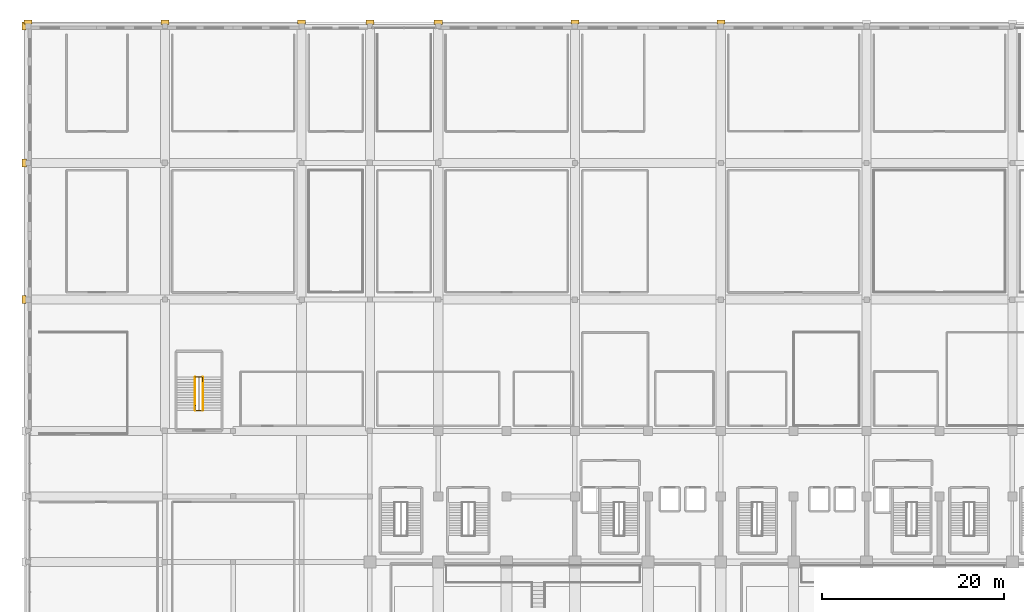
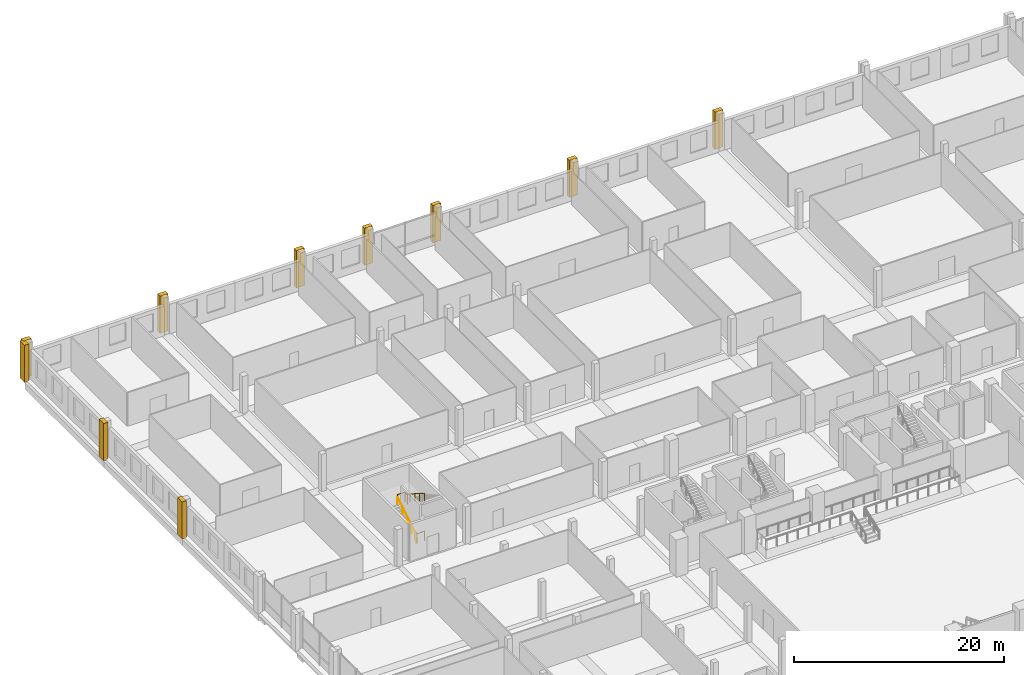
# One storey, part 64 of 68: 10 coverings, 4 railings.
"""IFC4 building model written with IfcOpenShell, lengths in metres."""

from ifc_helpers import new_model, si_unit, direction, frame, origin, origin_2d, place, context, subcontext, project, spatial, rectangle, circle, extrude, material, layer, layer_set, type_object, element, save


model = new_model("IFC4")

# Units and contexts
model_context = context("Model", 3, precision=1e-05, world=origin(), true_north=direction((0.0, 1.0)))
body_context = subcontext(model_context, "Body", "Model", "MODEL_VIEW")
ifc_project = project(units=[si_unit("LENGTHUNIT", "METRE"), si_unit("AREAUNIT", "SQUARE_METRE"), si_unit("VOLUMEUNIT", "CUBIC_METRE"), si_unit("PLANEANGLEUNIT", "RADIAN"), si_unit("MASSUNIT", "GRAM", prefix="KILO")], contexts=[model_context])

# Site, building, storey
site_placement = place(None, origin())
site = spatial("IfcSite", under=ifc_project, at=site_placement, CompositionType="ELEMENT")
building_placement = place(site_placement, origin())
building = spatial("IfcBuilding", under=site, at=building_placement, Name="Akrevak Sports Hall", CompositionType="ELEMENT")
storey_placement = place(building_placement, frame((0.0, 0.0, 9.39990234375)))
storey = spatial("IfcBuildingStorey", under=building, at=storey_placement, Name="L02", CompositionType="ELEMENT", Elevation=9.39990234375)

# Coverings
ifc_material_1 = material(Name="Limestone Ashlar", Category="stone")
ifc_layer_1 = layer(ifc_material_1, 0.47998046875, Name="Limestone Ashlar")
ifc_layer_set_1 = layer_set([ifc_layer_1], Name="Limestone Ashlar")
covering_type = type_object("IfcCoveringType", Name="ARC-COV-PIL-LIM", PredefinedType="CLADDING", material=ifc_layer_set_1)
for number, where, z_axis, x_axis, name in (
    (1, (0.0, 114.449951171875, 0.0), (0.0, 0.0, 1.0), (-1.0, 0.0, 0.0), "Giant-Order Limestone Pilaster L02-03-26"),
    (2, (15.0, 114.425048828125, 0.0), (0.0, 0.0, 1.0), (-1.0, 0.0, 0.0), "Giant-Order Limestone Pilaster L02-03-27"),
    (3, (30.0, 114.449951171875, 0.0), (0.0, 0.0, 1.0), (-1.0, 0.0, 0.0), "Giant-Order Limestone Pilaster L02-03-28"),
    (4, (37.5, 114.425048828125, 0.0), (0.0, 0.0, 1.0), (-1.0, 0.0, 0.0), "Giant-Order Limestone Pilaster L02-03-29"),
    (5, (45.0, 114.425048828125, 0.0), (0.0, 0.0, 1.0), (-1.0, 0.0, 0.0), "Giant-Order Limestone Pilaster L02-03-30"),
    (6, (60.0, 114.449951171875, 0.0), (0.0, 0.0, 1.0), (-1.0, 0.0, 0.0), "Giant-Order Limestone Pilaster L02-03-31"),
    (7, (76.0, 114.449951171875, 0.0), (0.0, 0.0, 1.0), (-1.0, 0.0, 0.0), "Giant-Order Limestone Pilaster L02-03-32"),
    (8, (-0.449951171875, 84.0, 0.0), (0.0, 0.0, 1.0), (0.0, -1.0, 0.0), "Giant-Order Limestone Pilaster L02-04-48"),
    (9, (-0.425048828125, 99.0, 0.0), (0.0, 0.0, 1.0), (0.0, -1.0, 0.0), "Giant-Order Limestone Pilaster L02-04-49"),
    (10, (-0.449951171875, 114.0, 0.0), (0.0, 0.0, 1.0), (0.0, -1.0, 0.0), "Giant-Order Limestone Pilaster L02-04-49"),
):
    element("IfcCovering", number, at=place(storey_placement, frame(where, z_axis=z_axis, x_axis=x_axis)), inside=storey, type_object=covering_type, Name=name, PredefinedType="CLADDING", context=body_context, shape_type="SweptSolid", body=[
        extrude(rectangle(XDim=0.8798828125, YDim=0.4599609375, at=origin_2d()), origin(), (0.0, 0.0, 1.0), 4.320068359375),
    ])

# Railings
ifc_material_2 = material(Name="Painted Architectural Balustrade Steel", Category="steel")
ifc_layer_2 = layer(ifc_material_2, 0.06005859375, Name="Painted Architectural Balustrade Steel")
ifc_layer_set_2 = layer_set([ifc_layer_2], Name="Painted Architectural Balustrade Steel")
railing_type_1 = type_object("IfcRailingType", Name="ARC-RL-GRD-1120", PredefinedType="GUARDRAIL", material=ifc_layer_set_2)
railing_1_placement = place(storey_placement, frame((18.360107421875, 72.3701171875, 0.0)))
element("IfcRailing", 11, at=railing_1_placement, inside=storey, type_object=railing_type_1, Name="Stair Floor Landing Well Guard ST6 (L02)", PredefinedType="GUARDRAIL", context=body_context, shape_type="SweptSolid", body=[
    extrude(circle(Radius=0.02392578125, at=origin_2d()), frame((0.0, 0.0, 1.09619140625), z_axis=(0.0, -1.0, 0.0), x_axis=(1.0, 0.0, 0.0)), (0.0, 0.0, 1.0), 0.550048828125),
    extrude(circle(Radius=0.02392578125, at=origin_2d()), frame((0.0, -0.550048828125, 1.09619140625), z_axis=(1.0, 0.0, 0.0), x_axis=(0.0, 1.0, 0.0)), (0.0, 0.0, 1.0), 0.809814453125),
    extrude(circle(Radius=0.02099609375, at=origin_2d()), origin(), (0.0, 0.0, 1.0), 1.072021484375),
    extrude(circle(Radius=0.02099609375, at=origin_2d()), frame((0.0, -0.550048828125, 0.0)), (0.0, 0.0, 1.0), 1.072021484375),
    extrude(circle(Radius=0.02099609375, at=origin_2d()), frame((0.809814453125, -0.550048828125, 0.0)), (0.0, 0.0, 1.0), 1.072021484375),
])
railing_2_placement = place(storey_placement, frame((18.330078125, 75.52001953125, 2.300048828125)))
element("IfcRailing", 12, at=railing_2_placement, inside=storey, type_object=railing_type_1, Name="Stair Landing Well Guard ST6-L02-1", PredefinedType="GUARDRAIL", context=body_context, shape_type="SweptSolid", body=[
    extrude(circle(Radius=0.02392578125, at=origin_2d()), frame((0.0, 0.0, 1.09619140625), z_axis=(1.0, 0.0, 0.0), x_axis=(0.0, 1.0, 0.0)), (0.0, 0.0, 1.0), 0.809814453125),
    extrude(circle(Radius=0.02392578125, at=origin_2d()), frame((0.809814453125, 0.0, 1.09619140625), z_axis=(0.0, -1.0, 0.0), x_axis=(1.0, 0.0, 0.0)), (0.0, 0.0, 1.0), 0.52001953125),
    extrude(circle(Radius=0.02099609375, at=origin_2d()), origin(), (0.0, 0.0, 1.0), 1.072021484375),
    extrude(circle(Radius=0.02099609375, at=origin_2d()), frame((0.809814453125, 0.0, 0.0)), (0.0, 0.0, 1.0), 1.072021484375),
    extrude(circle(Radius=0.02099609375, at=origin_2d()), frame((0.809814453125, -0.52001953125, 0.0)), (0.0, 0.0, 1.0), 1.072021484375),
])
ifc_material_3 = material(Name="Brushed Stainless Steel 304", Category="steel")
ifc_layer_3 = layer(ifc_material_3, 0.050048828125, Name="Brushed Stainless Steel 304")
ifc_layer_set_3 = layer_set([ifc_layer_3], Name="Brushed Stainless Steel 304")
railing_type_2 = type_object("IfcRailingType", Name="ARC-RL-HND-900", PredefinedType="HANDRAIL", material=ifc_layer_set_3)
railing_3_placement = place(storey_placement, frame((18.330078125, 71.85009765625, 0.0)))
element("IfcRailing", 13, at=railing_3_placement, inside=storey, type_object=railing_type_2, Name="Stair Handrail ST6-L02-F1", PredefinedType="HANDRAIL", context=body_context, shape_type="SweptSolid", body=[
    extrude(circle(Radius=0.02392578125, at=origin_2d()), frame((0.0, 0.0, 0.8759765625), z_axis=(0.0, 0.845366270244, 0.534187110602), x_axis=(-1.0, 0.0, 0.0)), (0.0, 0.0, 1.0), 4.3056640625),
    extrude(circle(Radius=0.02099609375, at=origin_2d()), origin(), (0.0, 0.0, 1.0), 0.851806640625),
    extrude(circle(Radius=0.02099609375, at=origin_2d()), frame((0.0, 0.909912109375, 0.574951171875)), (0.0, 0.0, 1.0), 0.851806640625),
    extrude(circle(Radius=0.02099609375, at=origin_2d()), frame((0.0, 1.81982421875, 1.14990234375)), (0.0, 0.0, 1.0), 0.851806640625),
    extrude(circle(Radius=0.02099609375, at=origin_2d()), frame((0.0, 2.72998046875, 1.72509765625)), (0.0, 0.0, 1.0), 0.851806640625),
    extrude(circle(Radius=0.02099609375, at=origin_2d()), frame((0.0, 3.639892578125, 2.300048828125)), (0.0, 0.0, 1.0), 0.851806640625),
])
railing_4_placement = place(storey_placement, frame((19.169921875, 75.489990234375, 2.300048828125)))
element("IfcRailing", 14, at=railing_4_placement, inside=storey, type_object=railing_type_2, Name="Stair Handrail ST6-L02-F2", PredefinedType="HANDRAIL", context=body_context, shape_type="SweptSolid", body=[
    extrude(circle(Radius=0.02392578125, at=origin_2d()), frame((0.0, 0.0, 0.8759765625), z_axis=(0.0, -0.845366270244, 0.534187110602), x_axis=(1.0, 0.0, 0.0)), (0.0, 0.0, 1.0), 4.3056640625),
    extrude(circle(Radius=0.02099609375, at=origin_2d()), origin(), (0.0, 0.0, 1.0), 0.851806640625),
    extrude(circle(Radius=0.02099609375, at=origin_2d()), frame((0.0, -0.909912109375, 0.574951171875)), (0.0, 0.0, 1.0), 0.851806640625),
    extrude(circle(Radius=0.02099609375, at=origin_2d()), frame((0.0, -1.81982421875, 1.14990234375)), (0.0, 0.0, 1.0), 0.851806640625),
    extrude(circle(Radius=0.02099609375, at=origin_2d()), frame((0.0, -2.72998046875, 1.72509765625)), (0.0, 0.0, 1.0), 0.851806640625),
    extrude(circle(Radius=0.02099609375, at=origin_2d()), frame((0.0, -3.639892578125, 2.300048828125)), (0.0, 0.0, 1.0), 0.851806640625),
])

save(model, "model.ifc")
